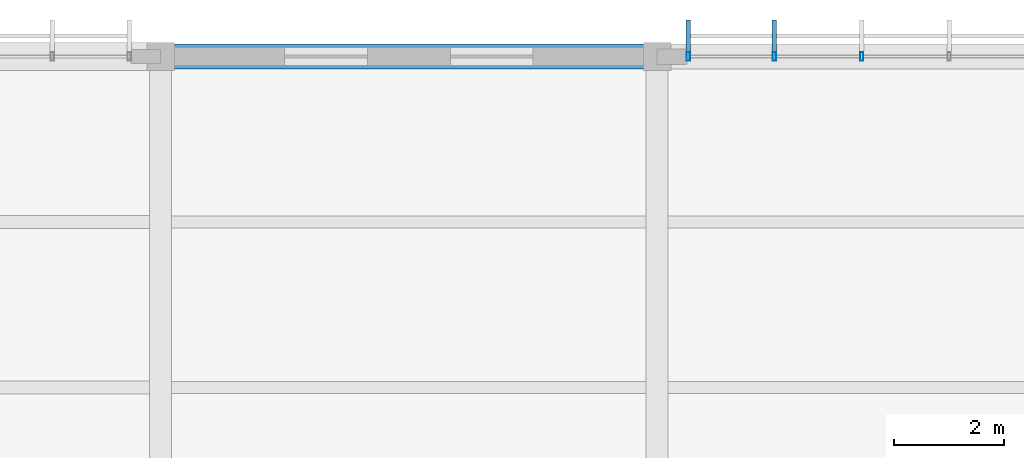
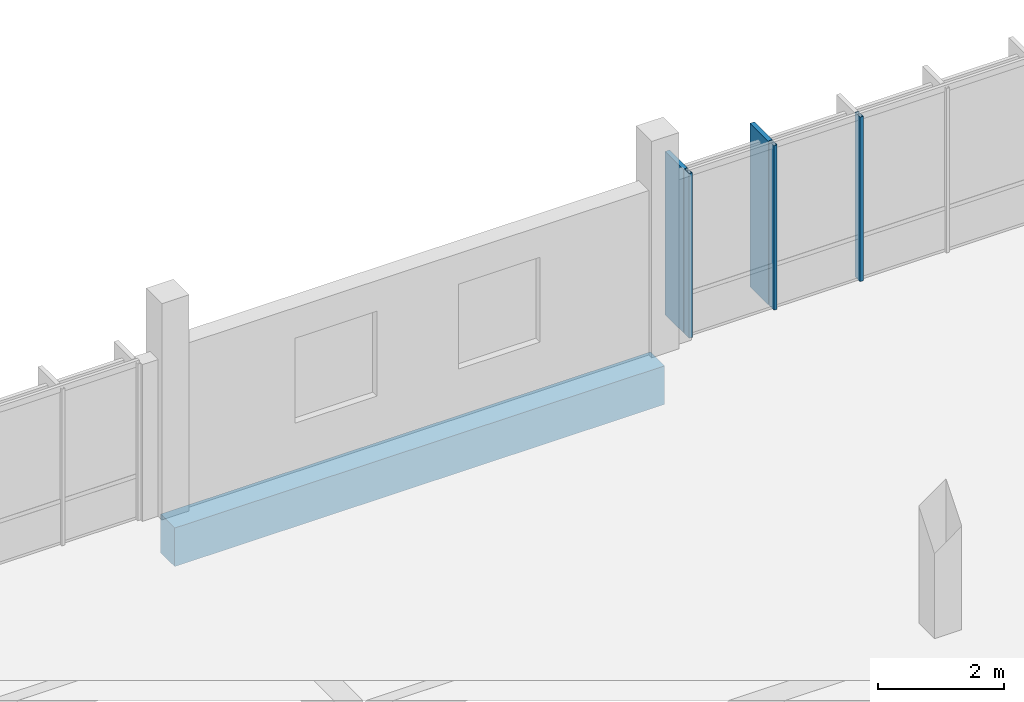
# One storey, part 76 of 107: 5 members, 1 beam, 1 element without a shape of its own.
"""IFC4 building model written with IfcOpenShell, lengths in metres."""

from ifc_helpers import new_model, si_unit, direction, frame, origin, origin_2d, place, context, subcontext, project, spatial, rectangle, hollow_rectangle, extrude, material, material_profile, profile_set, type_object, element, aggregate, save


model = new_model("IFC4")

# Units and contexts
model_context = context("Model", 3, precision=1e-05, world=origin(), true_north=direction((0.0, 1.0)))
body_context = subcontext(model_context, "Body", "Model", "MODEL_VIEW")
ifc_project = project(units=[si_unit("LENGTHUNIT", "METRE"), si_unit("AREAUNIT", "SQUARE_METRE"), si_unit("VOLUMEUNIT", "CUBIC_METRE"), si_unit("PLANEANGLEUNIT", "RADIAN"), si_unit("MASSUNIT", "GRAM", prefix="KILO")], contexts=[model_context])

# Site, building, storey
site_placement = place(None, origin())
site = spatial("IfcSite", under=ifc_project, at=site_placement, CompositionType="ELEMENT")
building_placement = place(site_placement, origin())
building = spatial("IfcBuilding", under=site, at=building_placement, Name="Chiffa Square Polytechnic", CompositionType="ELEMENT")
storey_placement = place(building_placement, frame((0.0, 0.0, 13.800048828125)))
storey = spatial("IfcBuildingStorey", under=building, at=storey_placement, Name="L03", CompositionType="ELEMENT", Elevation=13.800048828125)

# Beam
ifc_material_1 = material(Name="Concrete C35/45", Category="concrete")
ifc_material_profile_1 = material_profile(ifc_material_1, rectangle(XDim=0.449951171875, YDim=0.75, at=origin_2d()), Name="RC 450x750")
ifc_profile_set_1 = profile_set([ifc_material_profile_1], Name="Concrete C35/45")
beam_type = type_object("IfcBeamType", Name="BM-RC-450X750", PredefinedType="BEAM", material=ifc_profile_set_1)
beam_placement = place(storey_placement, frame((121.199951171875, 130.800048828125, -0.635009765625), z_axis=(1.0, 0.0, 0.0), x_axis=(0.0, 1.0, 0.0)))
element("IfcBeam", 1, at=beam_placement, inside=storey, type_object=beam_type, Name="Primary floor girder BM-V5-L03-X-1212-1308", PredefinedType="BEAM", context=body_context, shape_type="SweptSolid", body=[
    extrude(rectangle(XDim=0.449951171875, YDim=0.75, at=origin_2d()), origin(), (0.0, 0.0, 1.0), 9.0),
])

# Curtain wall, members
ifc_material_2 = material(Name="Aluminium EN AW-6060 T66 and glulam shading", Category="wood")
curtain_wall_type = type_object("IfcCurtainWallType", Name="CW-VERT-540X440", PredefinedType="USERDEFINED", material=ifc_material_2)
curtain_wall_placement = place(storey_placement, origin())
curtain_wall = element("IfcCurtainWall", 2, at=curtain_wall_placement, inside=storey, type_object=curtain_wall_type, Name="Curtain wall CW-V5-L03-231", ObjectType="CURTAIN WALL", PredefinedType="USERDEFINED")
ifc_material_3 = material(Name="Aluminium EN AW-6060 T66", Category="aluminium")
ifc_material_profile_2 = material_profile(ifc_material_3, hollow_rectangle(XDim=0.06005859375, YDim=0.159912109375, WallThickness=0.00390625, at=origin_2d()), Name="ALU 60x160x4")
ifc_profile_set_2 = profile_set([ifc_material_profile_2], Name="Aluminium EN AW-6060 T66")
member_type_1 = type_object("IfcMemberType", Name="CWM-ALU-65X150", PredefinedType="MULLION", material=ifc_profile_set_2)
member_1_placement = place(storey_placement, frame((133.907958984375, 130.800048828125, 0.0), z_axis=(0.0, 0.0, 1.0), x_axis=(1.0, 0.0, 0.0)))
member_1 = element("IfcMember", 3, at=member_1_placement, type_object=member_type_1, Name="Curtain wall mullion CW-V5-L03-231-M03", PredefinedType="MULLION", context=body_context, shape_type="SweptSolid", body=[
    extrude(hollow_rectangle(XDim=0.06005859375, YDim=0.159912109375, WallThickness=0.00390625, at=origin_2d()), origin(), (0.0, 0.0, 1.0), 3.195068359375),
])
member_2_placement = place(storey_placement, frame((132.323974609375, 130.800048828125, 0.0), z_axis=(0.0, 0.0, 1.0), x_axis=(1.0, 0.0, 0.0)))
member_2 = element("IfcMember", 4, at=member_2_placement, type_object=member_type_1, Name="Curtain wall mullion CW-V5-L03-231-M04", PredefinedType="MULLION", context=body_context, shape_type="SweptSolid", body=[
    extrude(hollow_rectangle(XDim=0.06005859375, YDim=0.159912109375, WallThickness=0.00390625, at=origin_2d()), origin(), (0.0, 0.0, 1.0), 3.195068359375),
])
member_3_placement = place(storey_placement, frame((130.764892578125, 130.800048828125, 0.0), z_axis=(0.0, 0.0, 1.0), x_axis=(1.0, 0.0, 0.0)))
member_3 = element("IfcMember", 5, at=member_3_placement, type_object=member_type_1, Name="Curtain wall mullion CW-V5-L03-231-M05", PredefinedType="MULLION", context=body_context, shape_type="SweptSolid", body=[
    extrude(hollow_rectangle(XDim=0.06005859375, YDim=0.159912109375, WallThickness=0.00390625, at=origin_2d()), origin(), (0.0, 0.0, 1.0), 3.195068359375),
])
ifc_material_4 = material(Name="Glulam GL28h", Category="wood")
ifc_material_profile_3 = material_profile(ifc_material_4, rectangle(XDim=0.080078125, YDim=0.580078125, at=origin_2d()), Name="GL28h 80x580")
ifc_profile_set_3 = profile_set([ifc_material_profile_3], Name="Glulam GL28h")
member_type_2 = type_object("IfcMemberType", Name="CWM-GL-80X580", PredefinedType="MULLION", material=ifc_profile_set_3)
member_4_placement = place(storey_placement, frame((132.323974609375, 131.172119140625, 0.010009765625), z_axis=(0.0, 0.0, 1.0), x_axis=(-1.0, 0.0, 0.0)))
member_4 = element("IfcMember", 6, at=member_4_placement, type_object=member_type_2, Name="Exterior glulam solar fin CW-V5-L03-231-FN04", PredefinedType="MULLION", context=body_context, shape_type="SweptSolid", body=[
    extrude(rectangle(XDim=0.080078125, YDim=0.580078125, at=origin_2d()), origin(), (0.0, 0.0, 1.0), 3.175048828125),
])
member_5_placement = place(storey_placement, frame((130.764892578125, 131.172119140625, 0.010009765625), z_axis=(0.0, 0.0, 1.0), x_axis=(-1.0, 0.0, 0.0)))
member_5 = element("IfcMember", 7, at=member_5_placement, type_object=member_type_2, Name="Exterior glulam solar fin CW-V5-L03-231-FN05", PredefinedType="MULLION", context=body_context, shape_type="SweptSolid", body=[
    extrude(rectangle(XDim=0.080078125, YDim=0.580078125, at=origin_2d()), origin(), (0.0, 0.0, 1.0), 3.175048828125),
])
aggregate(curtain_wall, [member_1, member_2, member_4, member_3, member_5])

save(model, "model.ifc")
